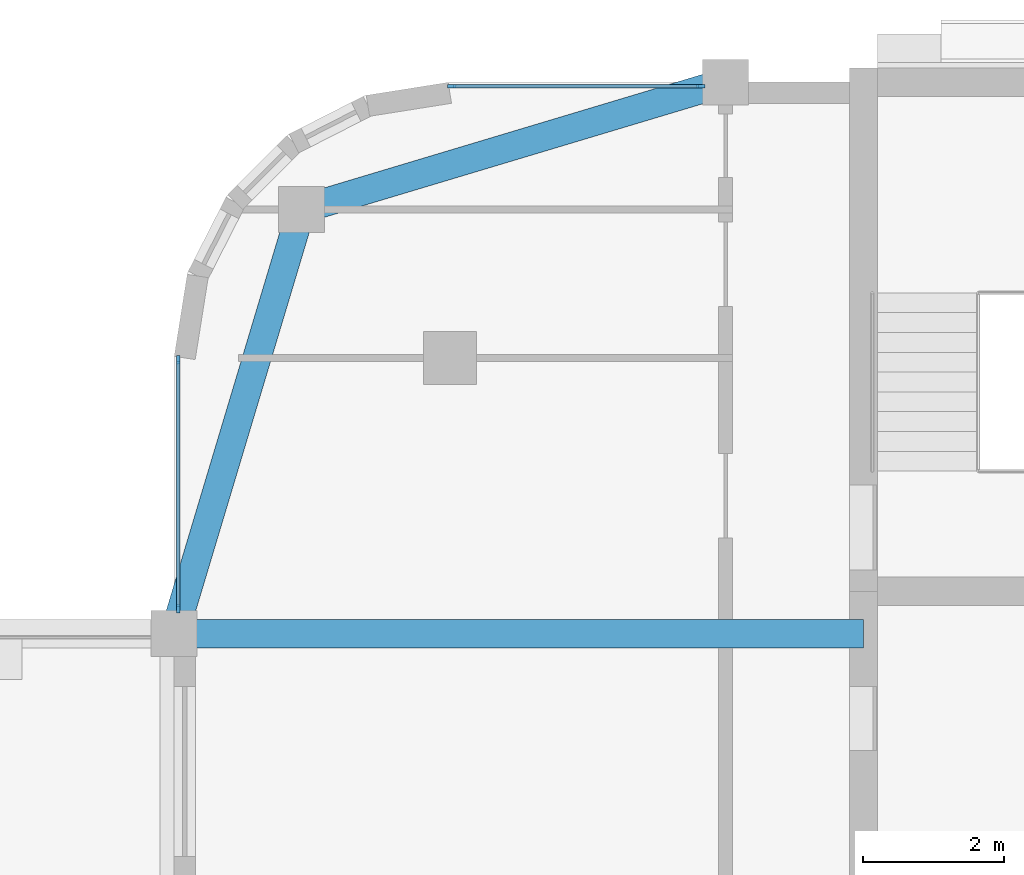
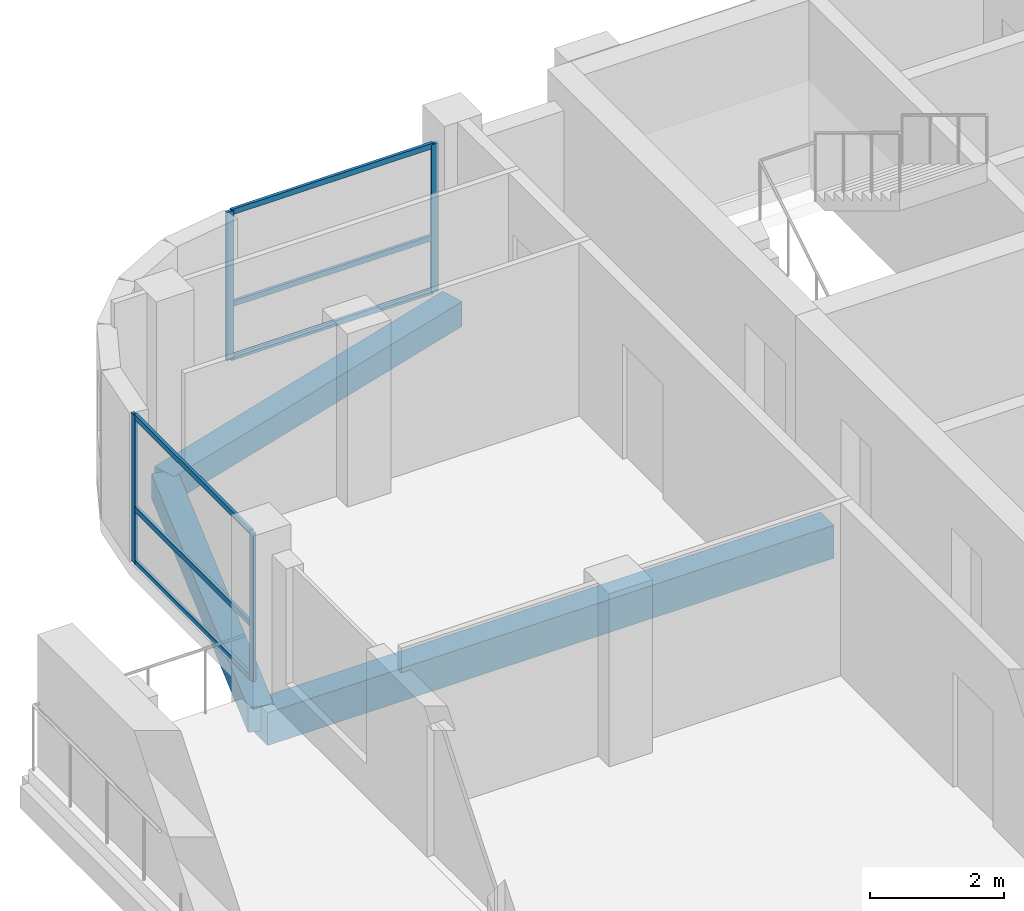
# One storey, part 7 of 19: 10 members, 3 beams, 2 elements without a shape of their own.
"""IFC4 building model written with IfcOpenShell, lengths in metres."""

import ifcopenshell
import ifcopenshell.guid

model = None  # the IFC model being written
_history = None  # IfcOwnerHistory: only IFC2X3 demands one
_inside = {}  # id of a spatial element -> (the spatial element, [elements in it])
_under = {}  # id of a project, library or spatial element -> (it, [spatial elements below it])
_declared = {}  # id of a project -> (the project, [libraries it declares])
_typed = {}  # id of a type object -> (the type object, [elements of that type])
_made_of = {}  # id of a material, layer set ... -> (it, [elements and type objects made of it])


def new_model(schema):
    """Start an empty IFC model of exactly this schema.

    Asked for "IFC4X3", IfcOpenShell would pick the latest addendum, in which some entities
    have other attributes; the version numbers below select the first issue.
    IFC2X3 requires an IfcOwnerHistory on every rooted entity: one is made here for all.
    """
    global model, _history
    if schema == "IFC4X3":
        model = ifcopenshell.file(schema_version=(4, 3, 0, 0))
    else:
        model = ifcopenshell.file(schema=schema)
    _inside.clear()
    _under.clear()
    _declared.clear()
    _typed.clear()
    _made_of.clear()
    _history = None
    if model.schema == "IFC2X3":
        org = make("IfcOrganization", Name="unknown")
        user = make(
            "IfcPersonAndOrganization",
            ThePerson=make("IfcPerson", FamilyName="unknown"),
            TheOrganization=org,
        )
        app = make(
            "IfcApplication",
            ApplicationDeveloper=org,
            Version="unknown",
            ApplicationFullName="unknown",
            ApplicationIdentifier="unknown",
        )
        _history = make(
            "IfcOwnerHistory",
            OwningUser=user,
            OwningApplication=app,
            ChangeAction="ADDED",
            CreationDate=0,
        )
    return model


def make(cls, **values):
    """One entity of the class cls with the attributes given. An attribute that is None is left unset."""
    return model.create_entity(
        cls, **{name: value for name, value in values.items() if value is not None}
    )


def rooted(cls, **values):
    """An entity with a GlobalId (a new one), such as an element, a storey or a relation."""
    return make(cls, GlobalId=ifcopenshell.guid.new(), OwnerHistory=_history, **values)


def si_unit(unit_type, name, prefix=None):
    """IfcSIUnit, for example si_unit("LENGTHUNIT", "METRE", prefix="MILLI")."""
    return make("IfcSIUnit", UnitType=unit_type, Prefix=prefix, Name=name)


def assignment(units):
    """IfcUnitAssignment: the units of a project."""
    return None if units is None else make("IfcUnitAssignment", Units=units)


def point(xyz):
    """IfcCartesianPoint."""
    return None if xyz is None else make("IfcCartesianPoint", Coordinates=xyz)


def direction(xyz):
    """IfcDirection."""
    return None if xyz is None else make("IfcDirection", DirectionRatios=xyz)


def frame(location, z_axis=None, x_axis=None):
    """IfcAxis2Placement3D, a coordinate frame: its origin and axes. An axis left out is left unset."""
    return make(
        "IfcAxis2Placement3D",
        Location=point(location),
        Axis=direction(z_axis),
        RefDirection=direction(x_axis),
    )


def frame_2d(location, x_axis=None):
    """IfcAxis2Placement2D, a coordinate frame in the plane: its origin and x axis."""
    return make(
        "IfcAxis2Placement2D", Location=point(location), RefDirection=direction(x_axis)
    )


def origin():
    """The frame at (0, 0, 0) with its axes left unset."""
    return frame((0.0, 0.0, 0.0))


def origin_2d():
    """The frame at (0, 0) in the plane with its x axis left unset."""
    return frame_2d((0.0, 0.0))


def place(relative_to, where):
    """IfcLocalPlacement: puts the frame where relative to a parent placement (None: the world)."""
    return make(
        "IfcLocalPlacement", PlacementRelTo=relative_to, RelativePlacement=where
    )


def context(
    kind, dimensions, precision=None, world=None, true_north=None, identifier=None
):
    """IfcGeometricRepresentationContext, for example the 3D "Model" context."""
    return make(
        "IfcGeometricRepresentationContext",
        ContextIdentifier=identifier,
        ContextType=kind,
        CoordinateSpaceDimension=dimensions,
        Precision=precision,
        WorldCoordinateSystem=world,
        TrueNorth=true_north,
    )


def subcontext(parent, identifier, kind, view, scale=None):
    """IfcGeometricRepresentationSubContext, for example "Body" below "Model"."""
    return make(
        "IfcGeometricRepresentationSubContext",
        ContextIdentifier=identifier,
        ContextType=kind,
        ParentContext=parent,
        TargetScale=scale,
        TargetView=view,
    )


def project(units=None, contexts=None):
    """IfcProject with its units and contexts."""
    return rooted(
        "IfcProject",
        Name="project",
        RepresentationContexts=contexts,
        UnitsInContext=assignment(units),
    )


def spatial(cls, under=None, at=None, **own):
    """A site, building, storey or space (cls), placed at a placement, below another one or the project."""
    s = rooted(cls, ObjectPlacement=at, **own)
    if under is not None:
        _under.setdefault(under.id(), (under, []))[1].append(s)
    return s


def profile(cls, at=None, kind="AREA", **sizes):
    """A parametric profile (cls). Its sizes go by their IFC names, for example OverallWidth=200.0."""
    return make(cls, ProfileType=kind, Position=at, **sizes)


def rectangle(**sizes):
    """IfcRectangleProfileDef."""
    return profile("IfcRectangleProfileDef", **sizes)


def extrude(swept, where, along, depth):
    """IfcExtrudedAreaSolid: the profile swept, set in the frame where, extruded along a direction by depth."""
    return make(
        "IfcExtrudedAreaSolid",
        SweptArea=swept,
        Position=where,
        ExtrudedDirection=direction(along),
        Depth=depth,
    )


def shape(context_of_items, identifier, shape_type, items):
    """IfcShapeRepresentation: the items that make up one representation, for example the "Body"."""
    return make(
        "IfcShapeRepresentation",
        ContextOfItems=context_of_items,
        RepresentationIdentifier=identifier,
        RepresentationType=shape_type,
        Items=items,
    )


def material(Name=None, Category=None):
    """IfcMaterial."""
    return make("IfcMaterial", Name=Name, Category=Category)


def material_profile(
    of_material, cross_section, Name=None, Category=None, Priority=None
):
    """IfcMaterialProfile: a cross section and its material."""
    return make(
        "IfcMaterialProfile",
        Name=Name,
        Material=of_material,
        Profile=cross_section,
        Priority=Priority,
        Category=Category,
    )


def profile_set(profiles, Name=None, composite=None):
    """IfcMaterialProfileSet."""
    return make(
        "IfcMaterialProfileSet",
        Name=Name,
        MaterialProfiles=profiles,
        CompositeProfile=composite,
    )


def made_of(thing, what):
    """Note that an element or type object is made of a material, layer set ...; save() writes the relation."""
    if what is not None:
        _made_of.setdefault(what.id(), (what, []))[1].append(thing)
    return thing


def type_object(cls, material=None, **own):
    """A type object (cls), such as IfcWallType, which elements share."""
    return made_of(rooted(cls, **own), material)


def element(
    cls,
    number,
    at=None,
    inside=None,
    cuts=None,
    type_object=None,
    material=None,
    context=None,
    identifier="Body",
    shape_type=None,
    held_by="IfcProductDefinitionShape",
    body=None,
    shapes=None,
    **own,
):
    """One element of the class cls, such as IfcWall. Its Tag is "e" and its number.

    at: its placement. inside: the storey or other place that contains it. cuts: it is an
    opening in that element (IfcRelVoidsElement). A single representation is given by context,
    identifier, shape_type and body (its items); several are given by shapes. held_by: the class
    of the entity that holds the representations. save() writes the other relations.
    """
    e = rooted(cls, Tag="e%d" % number, ObjectPlacement=at, **own)
    if body is not None:
        shapes = [shape(context, identifier, shape_type, body)]
    if shapes is not None:
        e.Representation = make(held_by, Representations=shapes)
    if inside is not None:
        _inside.setdefault(inside.id(), (inside, []))[1].append(e)
    if cuts is not None:
        rooted(
            "IfcRelVoidsElement", RelatingBuildingElement=cuts, RelatedOpeningElement=e
        )
    if type_object is not None:
        _typed.setdefault(type_object.id(), (type_object, []))[1].append(e)
    return made_of(e, material)


def aggregate(whole, parts):
    """IfcRelAggregates: a whole, such as a stair, and the parts it consists of."""
    return rooted("IfcRelAggregates", RelatingObject=whole, RelatedObjects=parts)


def save(model, path):
    """Write the relations noted so far, then the file.

    IfcRelAggregates (storeys below a building ...), IfcRelContainedInSpatialStructure (elements
    in a storey), IfcRelDefinesByType, IfcRelAssociatesMaterial and IfcRelDeclares: one each for
    every whole, place, type object, material and project.
    """
    for whole, parts in _under.values():
        aggregate(whole, parts)
    for where, things in _inside.values():
        rooted(
            "IfcRelContainedInSpatialStructure",
            RelatedElements=things,
            RelatingStructure=where,
        )
    for kind, things in _typed.values():
        rooted("IfcRelDefinesByType", RelatedObjects=things, RelatingType=kind)
    for what, things in _made_of.values():
        rooted("IfcRelAssociatesMaterial", RelatedObjects=things, RelatingMaterial=what)
    for by, libraries in _declared.values():
        rooted("IfcRelDeclares", RelatingContext=by, RelatedDefinitions=libraries)
    model.write(path)


model = new_model("IFC4")

# Units and contexts
model_context = context("Model", 3, precision=1e-05, world=origin(), true_north=direction((0.0, 1.0)))
body_context = subcontext(model_context, "Body", "Model", "MODEL_VIEW")
ifc_project = project(units=[si_unit("LENGTHUNIT", "METRE"), si_unit("AREAUNIT", "SQUARE_METRE"), si_unit("VOLUMEUNIT", "CUBIC_METRE"), si_unit("PLANEANGLEUNIT", "RADIAN"), si_unit("MASSUNIT", "GRAM", prefix="KILO")], contexts=[model_context])

# Site, building, storey
site_placement = place(None, origin())
site = spatial("IfcSite", under=ifc_project, at=site_placement, CompositionType="ELEMENT")
building_placement = place(site_placement, origin())
building = spatial("IfcBuilding", under=site, at=building_placement, Name="Ludao Terraces", CompositionType="ELEMENT")
storey_placement = place(building_placement, frame((0.0, 0.0, 256.199951171875)))
storey = spatial("IfcBuildingStorey", under=building, at=storey_placement, Name="L70", CompositionType="ELEMENT", Elevation=256.199951171875)

# Curtain wall, members
ifc_material_1 = material(Name="Aluminium curtain wall with fritted glass", Category="aluminium")
curtain_wall_type = type_object("IfcCurtainWallType", Name="ENV CW3 community glazing", PredefinedType="NOTDEFINED", material=ifc_material_1)
curtain_wall_1_placement = place(storey_placement, origin())
curtain_wall_1 = element("IfcCurtainWall", 1, at=curtain_wall_1_placement, inside=storey, type_object=curtain_wall_type, Name="Community floor glazing L70 N1", PredefinedType="NOTDEFINED")
ifc_material_2 = material(Name="Aluminium 6063-T6", Category="aluminium")
ifc_material_profile_1 = material_profile(ifc_material_2, rectangle(XDim=0.050048828125, YDim=0.1201171875, at=origin_2d()), Name="50 X 120")
ifc_profile_set_1 = profile_set([ifc_material_profile_1], Name="Aluminium 6063-T6")
member_type_1 = type_object("IfcMemberType", Name="ENV CW3 mullion 50x120", PredefinedType="MULLION", material=ifc_profile_set_1)
member_1_placement = place(storey_placement, frame((69.425048828125, 84.43994140625, 0.0), z_axis=(0.0, 0.0, 1.0), x_axis=(0.0, 1.0, 0.0)))
member_1 = element("IfcMember", 2, at=member_1_placement, type_object=member_type_1, Name="CW3 mullion 1", PredefinedType="MULLION", context=body_context, shape_type="SweptSolid", body=[
    extrude(rectangle(XDim=0.050048828125, YDim=0.1201171875, at=origin_2d()), origin(), (0.0, 0.0, 1.0), 2.699951171875),
])
member_2_placement = place(storey_placement, frame((72.949951171875, 84.43994140625, 0.0), z_axis=(0.0, 0.0, 1.0), x_axis=(0.0, 1.0, 0.0)))
member_2 = element("IfcMember", 3, at=member_2_placement, type_object=member_type_1, Name="CW3 mullion 2", PredefinedType="MULLION", context=body_context, shape_type="SweptSolid", body=[
    extrude(rectangle(XDim=0.050048828125, YDim=0.1201171875, at=origin_2d()), origin(), (0.0, 0.0, 1.0), 2.699951171875),
])

curtain_wall_2_placement = place(storey_placement, origin())
curtain_wall_2 = element("IfcCurtainWall", 4, at=curtain_wall_2_placement, inside=storey, type_object=curtain_wall_type, Name="Community floor glazing L70 W5", PredefinedType="NOTDEFINED")
member_3_placement = place(storey_placement, frame((65.56005859375, 77.050048828125, 0.0), z_axis=(0.0, 0.0, 1.0), x_axis=(-1.0, 0.0, 0.0)))
member_3 = element("IfcMember", 5, at=member_3_placement, type_object=member_type_1, Name="CW3 mullion 1", PredefinedType="MULLION", context=body_context, shape_type="SweptSolid", body=[
    extrude(rectangle(XDim=0.050048828125, YDim=0.1201171875, at=origin_2d()), origin(), (0.0, 0.0, 1.0), 2.699951171875),
])
member_4_placement = place(storey_placement, frame((65.56005859375, 80.574951171875, 0.0), z_axis=(0.0, 0.0, 1.0), x_axis=(-1.0, 0.0, 0.0)))
member_4 = element("IfcMember", 6, at=member_4_placement, type_object=member_type_1, Name="CW3 mullion 2", PredefinedType="MULLION", context=body_context, shape_type="SweptSolid", body=[
    extrude(rectangle(XDim=0.050048828125, YDim=0.1201171875, at=origin_2d()), origin(), (0.0, 0.0, 1.0), 2.699951171875),
])

# Member
ifc_material_profile_2 = material_profile(ifc_material_2, rectangle(XDim=0.050048828125, YDim=0.10009765625, at=origin_2d()), Name="50 X 100")
ifc_profile_set_2 = profile_set([ifc_material_profile_2], Name="Aluminium 6063-T6")
member_type_2 = type_object("IfcMemberType", Name="ENV CW3 transom 50x100", PredefinedType="USERDEFINED", material=ifc_profile_set_2)
member_5_placement = place(storey_placement, frame((69.449951171875, 84.43994140625, 0.025146484375), z_axis=(1.0, 0.0, 0.0), x_axis=(0.0, 1.0, 0.0)))
member_5 = element("IfcMember", 7, at=member_5_placement, type_object=member_type_2, Name="CW3 transom 1.1", ObjectType="TRANSOM", PredefinedType="USERDEFINED", context=body_context, shape_type="SweptSolid", body=[
    extrude(rectangle(XDim=0.050048828125, YDim=0.10009765625, at=origin_2d()), origin(), (0.0, 0.0, 1.0), 3.47509765625),
])

member_6_placement = place(storey_placement, frame((69.449951171875, 84.43994140625, 1.0), z_axis=(1.0, 0.0, 0.0), x_axis=(0.0, 1.0, 0.0)))
member_6 = element("IfcMember", 8, at=member_6_placement, type_object=member_type_2, Name="CW3 transom 1.2", ObjectType="TRANSOM", PredefinedType="USERDEFINED", context=body_context, shape_type="SweptSolid", body=[
    extrude(rectangle(XDim=0.050048828125, YDim=0.10009765625, at=origin_2d()), origin(), (0.0, 0.0, 1.0), 3.47509765625),
])

member_7_placement = place(storey_placement, frame((69.449951171875, 84.43994140625, 2.675048828125), z_axis=(1.0, 0.0, 0.0), x_axis=(0.0, 1.0, 0.0)))
member_7 = element("IfcMember", 9, at=member_7_placement, type_object=member_type_2, Name="CW3 transom 1.3", ObjectType="TRANSOM", PredefinedType="USERDEFINED", context=body_context, shape_type="SweptSolid", body=[
    extrude(rectangle(XDim=0.050048828125, YDim=0.10009765625, at=origin_2d()), origin(), (0.0, 0.0, 1.0), 3.47509765625),
])

aggregate(curtain_wall_1, [member_1, member_2, member_5, member_6, member_7])

member_8_placement = place(storey_placement, frame((65.56005859375, 77.074951171875, 0.025146484375), z_axis=(0.0, 1.0, 0.0), x_axis=(-1.0, 0.0, 0.0)))
member_8 = element("IfcMember", 10, at=member_8_placement, type_object=member_type_2, Name="CW3 transom 1.1", ObjectType="TRANSOM", PredefinedType="USERDEFINED", context=body_context, shape_type="SweptSolid", body=[
    extrude(rectangle(XDim=0.050048828125, YDim=0.10009765625, at=origin_2d()), origin(), (0.0, 0.0, 1.0), 3.47509765625),
])

member_9_placement = place(storey_placement, frame((65.56005859375, 77.074951171875, 1.0), z_axis=(0.0, 1.0, 0.0), x_axis=(-1.0, 0.0, 0.0)))
member_9 = element("IfcMember", 11, at=member_9_placement, type_object=member_type_2, Name="CW3 transom 1.2", ObjectType="TRANSOM", PredefinedType="USERDEFINED", context=body_context, shape_type="SweptSolid", body=[
    extrude(rectangle(XDim=0.050048828125, YDim=0.10009765625, at=origin_2d()), origin(), (0.0, 0.0, 1.0), 3.47509765625),
])

member_10_placement = place(storey_placement, frame((65.56005859375, 77.074951171875, 2.675048828125), z_axis=(0.0, 1.0, 0.0), x_axis=(-1.0, 0.0, 0.0)))
member_10 = element("IfcMember", 12, at=member_10_placement, type_object=member_type_2, Name="CW3 transom 1.3", ObjectType="TRANSOM", PredefinedType="USERDEFINED", context=body_context, shape_type="SweptSolid", body=[
    extrude(rectangle(XDim=0.050048828125, YDim=0.10009765625, at=origin_2d()), origin(), (0.0, 0.0, 1.0), 3.47509765625),
])

aggregate(curtain_wall_2, [member_3, member_4, member_8, member_9, member_10])

# Beams
ifc_material_3 = material(Name="Concrete C40", Category="concrete")
ifc_material_profile_3 = material_profile(ifc_material_3, rectangle(XDim=0.39990234375, YDim=0.449951171875, at=origin_2d()), Name="400 X 450")
ifc_profile_set_3 = profile_set([ifc_material_profile_3], Name="Concrete C40")
beam_type_1 = type_object("IfcBeamType", Name="RC beam 400x450 C40", PredefinedType="BEAM", material=ifc_profile_set_3)
for number, where, z_axis, x_axis, name in (
    (13, (67.300048828125, 82.699951171875, -0.474853515625), (0.957824139839, 0.287355036744, 0.0), (-0.287355036744, 0.957824139839, 0.0), "Spandrel beam L70 N6"),
    (14, (65.5, 76.699951171875, -0.474853515625), (0.287355036744, 0.957824139839, 0.0), (-0.957824139839, 0.287355036744, 0.0), "Spandrel beam L70 W12"),
):
    element("IfcBeam", number, at=place(storey_placement, frame(where, z_axis=z_axis, x_axis=x_axis)), inside=storey, type_object=beam_type_1, Name=name, PredefinedType="BEAM", context=body_context, shape_type="SweptSolid", body=[
        extrude(rectangle(XDim=0.39990234375, YDim=0.449951171875, at=origin_2d()), origin(), (0.0, 0.0, 1.0), 6.26416015625),
    ])
ifc_material_profile_4 = material_profile(ifc_material_3, rectangle(XDim=0.39990234375, YDim=0.60009765625, at=origin_2d()), Name="400 X 600")
ifc_profile_set_4 = profile_set([ifc_material_profile_4], Name="Concrete C40")
beam_type_2 = type_object("IfcBeamType", Name="RC beam 400x600 C40", PredefinedType="BEAM", material=ifc_profile_set_4)
beam_placement = place(storey_placement, frame((75.25, 76.699951171875, -0.550048828125), z_axis=(-1.0, 0.0, 0.0), x_axis=(0.0, -1.0, 0.0)))
element("IfcBeam", 15, at=beam_placement, inside=storey, type_object=beam_type_2, Name="Balcony beam L70 W767", PredefinedType="BEAM", context=body_context, shape_type="SweptSolid", body=[
    extrude(rectangle(XDim=0.39990234375, YDim=0.60009765625, at=origin_2d()), origin(), (0.0, 0.0, 1.0), 9.75),
])

save(model, "model.ifc")
